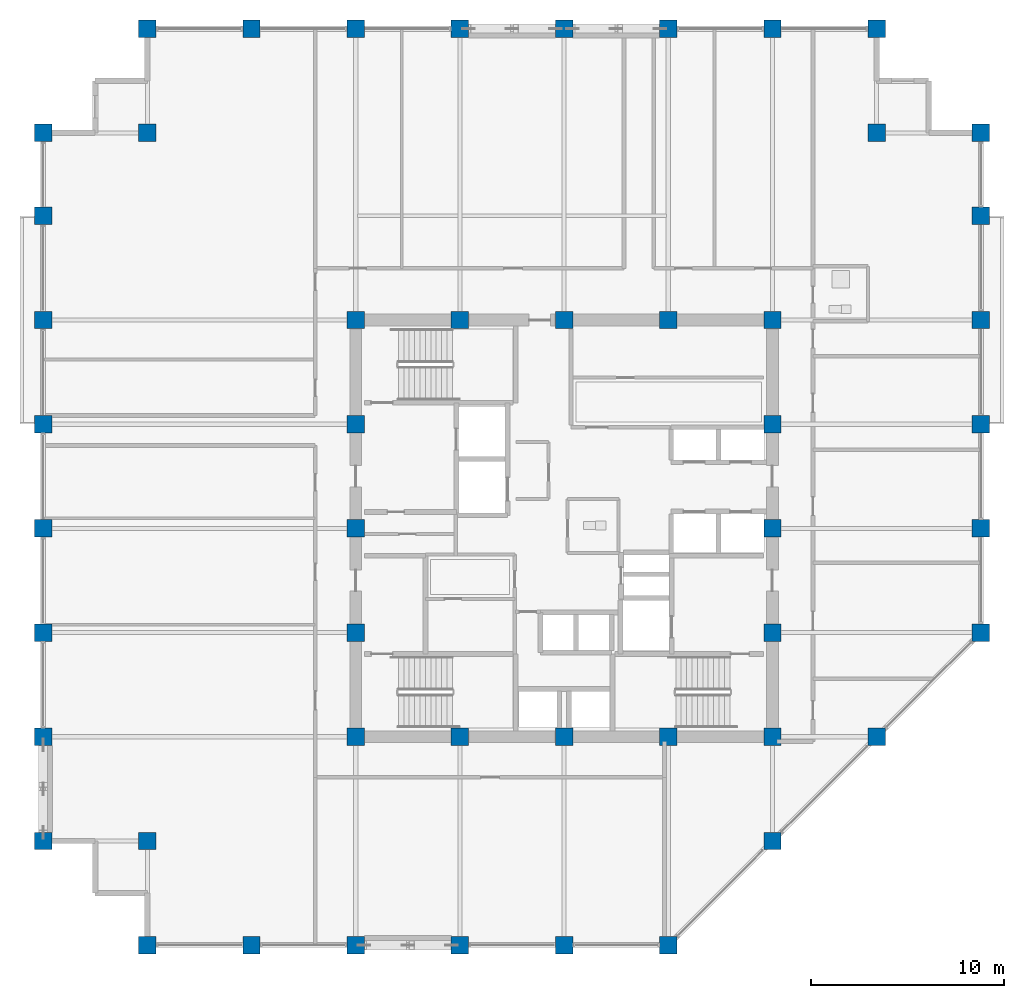
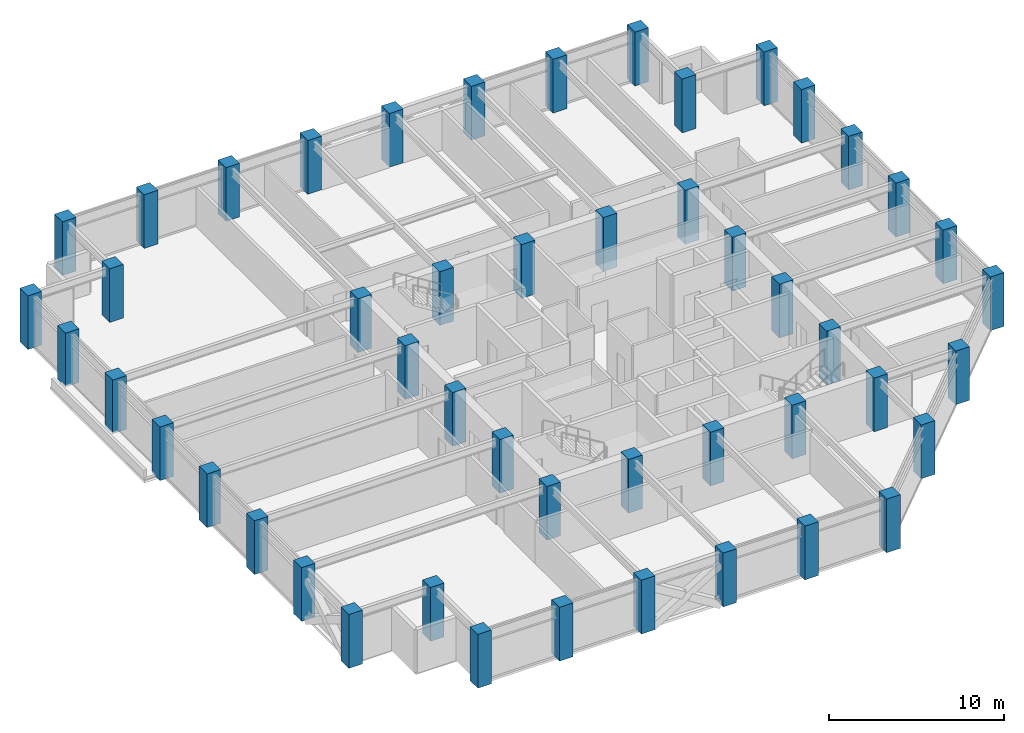
# One storey, part 1 of 31: 49 columns.
"""IFC4 building model written with IfcOpenShell, lengths in metres."""

import ifcopenshell
import ifcopenshell.guid

model = None  # the IFC model being written
_history = None  # IfcOwnerHistory: only IFC2X3 demands one
_inside = {}  # id of a spatial element -> (the spatial element, [elements in it])
_under = {}  # id of a project, library or spatial element -> (it, [spatial elements below it])
_declared = {}  # id of a project -> (the project, [libraries it declares])
_typed = {}  # id of a type object -> (the type object, [elements of that type])
_made_of = {}  # id of a material, layer set ... -> (it, [elements and type objects made of it])


def new_model(schema):
    """Start an empty IFC model of exactly this schema.

    Asked for "IFC4X3", IfcOpenShell would pick the latest addendum, in which some entities
    have other attributes; the version numbers below select the first issue.
    IFC2X3 requires an IfcOwnerHistory on every rooted entity: one is made here for all.
    """
    global model, _history
    if schema == "IFC4X3":
        model = ifcopenshell.file(schema_version=(4, 3, 0, 0))
    else:
        model = ifcopenshell.file(schema=schema)
    _inside.clear()
    _under.clear()
    _declared.clear()
    _typed.clear()
    _made_of.clear()
    _history = None
    if model.schema == "IFC2X3":
        org = make("IfcOrganization", Name="unknown")
        user = make(
            "IfcPersonAndOrganization",
            ThePerson=make("IfcPerson", FamilyName="unknown"),
            TheOrganization=org,
        )
        app = make(
            "IfcApplication",
            ApplicationDeveloper=org,
            Version="unknown",
            ApplicationFullName="unknown",
            ApplicationIdentifier="unknown",
        )
        _history = make(
            "IfcOwnerHistory",
            OwningUser=user,
            OwningApplication=app,
            ChangeAction="ADDED",
            CreationDate=0,
        )
    return model


def make(cls, **values):
    """One entity of the class cls with the attributes given. An attribute that is None is left unset."""
    return model.create_entity(
        cls, **{name: value for name, value in values.items() if value is not None}
    )


def rooted(cls, **values):
    """An entity with a GlobalId (a new one), such as an element, a storey or a relation."""
    return make(cls, GlobalId=ifcopenshell.guid.new(), OwnerHistory=_history, **values)


def si_unit(unit_type, name, prefix=None):
    """IfcSIUnit, for example si_unit("LENGTHUNIT", "METRE", prefix="MILLI")."""
    return make("IfcSIUnit", UnitType=unit_type, Prefix=prefix, Name=name)


def assignment(units):
    """IfcUnitAssignment: the units of a project."""
    return None if units is None else make("IfcUnitAssignment", Units=units)


def point(xyz):
    """IfcCartesianPoint."""
    return None if xyz is None else make("IfcCartesianPoint", Coordinates=xyz)


def direction(xyz):
    """IfcDirection."""
    return None if xyz is None else make("IfcDirection", DirectionRatios=xyz)


def frame(location, z_axis=None, x_axis=None):
    """IfcAxis2Placement3D, a coordinate frame: its origin and axes. An axis left out is left unset."""
    return make(
        "IfcAxis2Placement3D",
        Location=point(location),
        Axis=direction(z_axis),
        RefDirection=direction(x_axis),
    )


def frame_2d(location, x_axis=None):
    """IfcAxis2Placement2D, a coordinate frame in the plane: its origin and x axis."""
    return make(
        "IfcAxis2Placement2D", Location=point(location), RefDirection=direction(x_axis)
    )


def origin():
    """The frame at (0, 0, 0) with its axes left unset."""
    return frame((0.0, 0.0, 0.0))


def origin_2d():
    """The frame at (0, 0) in the plane with its x axis left unset."""
    return frame_2d((0.0, 0.0))


def place(relative_to, where):
    """IfcLocalPlacement: puts the frame where relative to a parent placement (None: the world)."""
    return make(
        "IfcLocalPlacement", PlacementRelTo=relative_to, RelativePlacement=where
    )


def context(
    kind, dimensions, precision=None, world=None, true_north=None, identifier=None
):
    """IfcGeometricRepresentationContext, for example the 3D "Model" context."""
    return make(
        "IfcGeometricRepresentationContext",
        ContextIdentifier=identifier,
        ContextType=kind,
        CoordinateSpaceDimension=dimensions,
        Precision=precision,
        WorldCoordinateSystem=world,
        TrueNorth=true_north,
    )


def subcontext(parent, identifier, kind, view, scale=None):
    """IfcGeometricRepresentationSubContext, for example "Body" below "Model"."""
    return make(
        "IfcGeometricRepresentationSubContext",
        ContextIdentifier=identifier,
        ContextType=kind,
        ParentContext=parent,
        TargetScale=scale,
        TargetView=view,
    )


def project(units=None, contexts=None):
    """IfcProject with its units and contexts."""
    return rooted(
        "IfcProject",
        Name="project",
        RepresentationContexts=contexts,
        UnitsInContext=assignment(units),
    )


def spatial(cls, under=None, at=None, **own):
    """A site, building, storey or space (cls), placed at a placement, below another one or the project."""
    s = rooted(cls, ObjectPlacement=at, **own)
    if under is not None:
        _under.setdefault(under.id(), (under, []))[1].append(s)
    return s


def profile(cls, at=None, kind="AREA", **sizes):
    """A parametric profile (cls). Its sizes go by their IFC names, for example OverallWidth=200.0."""
    return make(cls, ProfileType=kind, Position=at, **sizes)


def rectangle(**sizes):
    """IfcRectangleProfileDef."""
    return profile("IfcRectangleProfileDef", **sizes)


def extrude(swept, where, along, depth):
    """IfcExtrudedAreaSolid: the profile swept, set in the frame where, extruded along a direction by depth."""
    return make(
        "IfcExtrudedAreaSolid",
        SweptArea=swept,
        Position=where,
        ExtrudedDirection=direction(along),
        Depth=depth,
    )


def shape(context_of_items, identifier, shape_type, items):
    """IfcShapeRepresentation: the items that make up one representation, for example the "Body"."""
    return make(
        "IfcShapeRepresentation",
        ContextOfItems=context_of_items,
        RepresentationIdentifier=identifier,
        RepresentationType=shape_type,
        Items=items,
    )


def material(Name=None, Category=None):
    """IfcMaterial."""
    return make("IfcMaterial", Name=Name, Category=Category)


def material_profile(
    of_material, cross_section, Name=None, Category=None, Priority=None
):
    """IfcMaterialProfile: a cross section and its material."""
    return make(
        "IfcMaterialProfile",
        Name=Name,
        Material=of_material,
        Profile=cross_section,
        Priority=Priority,
        Category=Category,
    )


def profile_set(profiles, Name=None, composite=None):
    """IfcMaterialProfileSet."""
    return make(
        "IfcMaterialProfileSet",
        Name=Name,
        MaterialProfiles=profiles,
        CompositeProfile=composite,
    )


def made_of(thing, what):
    """Note that an element or type object is made of a material, layer set ...; save() writes the relation."""
    if what is not None:
        _made_of.setdefault(what.id(), (what, []))[1].append(thing)
    return thing


def type_object(cls, material=None, **own):
    """A type object (cls), such as IfcWallType, which elements share."""
    return made_of(rooted(cls, **own), material)


def element(
    cls,
    number,
    at=None,
    inside=None,
    cuts=None,
    type_object=None,
    material=None,
    context=None,
    identifier="Body",
    shape_type=None,
    held_by="IfcProductDefinitionShape",
    body=None,
    shapes=None,
    **own,
):
    """One element of the class cls, such as IfcWall. Its Tag is "e" and its number.

    at: its placement. inside: the storey or other place that contains it. cuts: it is an
    opening in that element (IfcRelVoidsElement). A single representation is given by context,
    identifier, shape_type and body (its items); several are given by shapes. held_by: the class
    of the entity that holds the representations. save() writes the other relations.
    """
    e = rooted(cls, Tag="e%d" % number, ObjectPlacement=at, **own)
    if body is not None:
        shapes = [shape(context, identifier, shape_type, body)]
    if shapes is not None:
        e.Representation = make(held_by, Representations=shapes)
    if inside is not None:
        _inside.setdefault(inside.id(), (inside, []))[1].append(e)
    if cuts is not None:
        rooted(
            "IfcRelVoidsElement", RelatingBuildingElement=cuts, RelatedOpeningElement=e
        )
    if type_object is not None:
        _typed.setdefault(type_object.id(), (type_object, []))[1].append(e)
    return made_of(e, material)


def aggregate(whole, parts):
    """IfcRelAggregates: a whole, such as a stair, and the parts it consists of."""
    return rooted("IfcRelAggregates", RelatingObject=whole, RelatedObjects=parts)


def save(model, path):
    """Write the relations noted so far, then the file.

    IfcRelAggregates (storeys below a building ...), IfcRelContainedInSpatialStructure (elements
    in a storey), IfcRelDefinesByType, IfcRelAssociatesMaterial and IfcRelDeclares: one each for
    every whole, place, type object, material and project.
    """
    for whole, parts in _under.values():
        aggregate(whole, parts)
    for where, things in _inside.values():
        rooted(
            "IfcRelContainedInSpatialStructure",
            RelatedElements=things,
            RelatingStructure=where,
        )
    for kind, things in _typed.values():
        rooted("IfcRelDefinesByType", RelatedObjects=things, RelatingType=kind)
    for what, things in _made_of.values():
        rooted("IfcRelAssociatesMaterial", RelatedObjects=things, RelatingMaterial=what)
    for by, libraries in _declared.values():
        rooted("IfcRelDeclares", RelatingContext=by, RelatedDefinitions=libraries)
    model.write(path)


model = new_model("IFC4")

# Units and contexts
model_context = context("Model", 3, precision=1e-05, world=origin(), true_north=direction((0.0, 1.0)))
body_context = subcontext(model_context, "Body", "Model", "MODEL_VIEW")
ifc_project = project(units=[si_unit("LENGTHUNIT", "METRE"), si_unit("AREAUNIT", "SQUARE_METRE"), si_unit("VOLUMEUNIT", "CUBIC_METRE"), si_unit("PLANEANGLEUNIT", "RADIAN"), si_unit("MASSUNIT", "GRAM", prefix="KILO")], contexts=[model_context])

# Site, building, storey
site_placement = place(None, origin())
site = spatial("IfcSite", under=ifc_project, at=site_placement, CompositionType="ELEMENT")
building_placement = place(site_placement, origin())
building = spatial("IfcBuilding", under=site, at=building_placement, Name="Surkhivell Harbour Commons", CompositionType="ELEMENT")
storey_placement = place(building_placement, frame((0.0, 0.0, 193.5)))
storey = spatial("IfcBuildingStorey", under=building, at=storey_placement, Name="L50", CompositionType="ELEMENT", Elevation=193.5)

# Columns
ifc_material = material(Name="Concrete C60/75", Category="concrete")
ifc_material_profile = material_profile(ifc_material, rectangle(XDim=0.89990234375, YDim=0.89990234375, at=origin_2d()), Name="RC-COL-900x900")
ifc_profile_set = profile_set([ifc_material_profile], Name="Concrete C60/75")
column_type = type_object("IfcColumnType", Name="COL-TUBE-Z3A", PredefinedType="COLUMN", material=ifc_profile_set)
for number, where, z_axis, x_axis, name in (
    (1, (-27.0, -16.199951171875, 0.0), (0.0, 0.0, 1.0), (1.0, 0.0, 0.0), "L50 Column CT-3A (-27.0,-16.2)"),
    (2, (-27.0, -10.800048828125, 0.0), (0.0, 0.0, 1.0), (1.0, 0.0, 0.0), "L50 Column CT-3A (-27.0,-10.8)"),
    (3, (-27.0, -5.39990234375, 0.0), (0.0, 0.0, 1.0), (1.0, 0.0, 0.0), "L50 Column CT-3A (-27.0,-5.4)"),
    (4, (-27.0, 0.0, 0.0), (0.0, 0.0, 1.0), (1.0, 0.0, 0.0), "L50 Column CT-3A (-27.0,0.0)"),
    (5, (-27.0, 5.39990234375, 0.0), (0.0, 0.0, 1.0), (1.0, 0.0, 0.0), "L50 Column CT-3A (-27.0,5.4)"),
    (6, (-27.0, 10.800048828125, 0.0), (0.0, 0.0, 1.0), (1.0, 0.0, 0.0), "L50 Column CT-3A (-27.0,10.8)"),
    (7, (-27.0, 16.199951171875, 0.0), (0.0, 0.0, 1.0), (1.0, 0.0, 0.0), "L50 Column CT-3A (-27.0,16.2)"),
    (8, (-27.0, 20.5, 0.0), (0.0, 0.0, 1.0), (1.0, 0.0, 0.0), "L50 Column CT-3A (-27.0,20.5)"),
    (9, (-21.60009765625, -21.60009765625, 0.0), (0.0, 0.0, 1.0), (1.0, 0.0, 0.0), "L50 Column CT-3A (-21.6,-21.6)"),
    (10, (-21.60009765625, -16.199951171875, 0.0), (0.0, 0.0, 1.0), (1.0, 0.0, 0.0), "L50 Column CT-3A (-21.6,-16.2)"),
    (11, (-21.60009765625, 20.5, 0.0), (0.0, 0.0, 1.0), (1.0, 0.0, 0.0), "L50 Column CT-3A (-21.6,20.5)"),
    (12, (-21.60009765625, 25.89990234375, 0.0), (0.0, 0.0, 1.0), (1.0, 0.0, 0.0), "L50 Column CT-3A (-21.6,25.9)"),
    (13, (-16.199951171875, -21.60009765625, 0.0), (0.0, 0.0, 1.0), (1.0, 0.0, 0.0), "L50 Column CT-3A (-16.2,-21.6)"),
    (14, (-16.199951171875, 25.89990234375, 0.0), (0.0, 0.0, 1.0), (1.0, 0.0, 0.0), "L50 Column CT-3A (-16.2,25.9)"),
    (15, (-10.800048828125, -21.60009765625, 0.0), (0.0, 0.0, 1.0), (1.0, 0.0, 0.0), "L50 Column CT-3A (-10.8,-21.6)"),
    (16, (-10.800048828125, -10.800048828125, 0.0), (0.0, 0.0, 1.0), (1.0, 0.0, 0.0), "L50 Column CT-3A (-10.8,-10.8)"),
    (17, (-10.800048828125, -5.39990234375, 0.0), (0.0, 0.0, 1.0), (1.0, 0.0, 0.0), "L50 Column CT-3A (-10.8,-5.4)"),
    (18, (-10.800048828125, 0.0, 0.0), (0.0, 0.0, 1.0), (1.0, 0.0, 0.0), "L50 Column CT-3A (-10.8,0.0)"),
    (19, (-10.800048828125, 5.39990234375, 0.0), (0.0, 0.0, 1.0), (1.0, 0.0, 0.0), "L50 Column CT-3A (-10.8,5.4)"),
    (20, (-10.800048828125, 10.800048828125, 0.0), (0.0, 0.0, 1.0), (1.0, 0.0, 0.0), "L50 Column CT-3A (-10.8,10.8)"),
    (21, (-10.800048828125, 25.89990234375, 0.0), (0.0, 0.0, 1.0), (1.0, 0.0, 0.0), "L50 Column CT-3A (-10.8,25.9)"),
    (22, (-5.39990234375, -21.60009765625, 0.0), (0.0, 0.0, 1.0), (1.0, 0.0, 0.0), "L50 Column CT-3A (-5.4,-21.6)"),
    (23, (-5.39990234375, -10.800048828125, 0.0), (0.0, 0.0, 1.0), (1.0, 0.0, 0.0), "L50 Column CT-3A (-5.4,-10.8)"),
    (24, (-5.39990234375, 10.800048828125, 0.0), (0.0, 0.0, 1.0), (1.0, 0.0, 0.0), "L50 Column CT-3A (-5.4,10.8)"),
    (25, (-5.39990234375, 25.89990234375, 0.0), (0.0, 0.0, 1.0), (1.0, 0.0, 0.0), "L50 Column CT-3A (-5.4,25.9)"),
    (26, (0.0, -21.60009765625, 0.0), (0.0, 0.0, 1.0), (1.0, 0.0, 0.0), "L50 Column CT-3A (-0.0,-21.6)"),
    (27, (0.0, -10.800048828125, 0.0), (0.0, 0.0, 1.0), (1.0, 0.0, 0.0), "L50 Column CT-3A (0.0,-10.8)"),
    (28, (0.0, 10.800048828125, 0.0), (0.0, 0.0, 1.0), (1.0, 0.0, 0.0), "L50 Column CT-3A (0.0,10.8)"),
    (29, (0.0, 25.89990234375, 0.0), (0.0, 0.0, 1.0), (1.0, 0.0, 0.0), "L50 Column CT-3A (-0.0,25.9)"),
    (30, (5.39990234375, -21.60009765625, 0.0), (0.0, 0.0, 1.0), (1.0, 0.0, 0.0), "L50 Column CT-3A (5.4,-21.6)"),
    (31, (5.39990234375, -10.800048828125, 0.0), (0.0, 0.0, 1.0), (1.0, 0.0, 0.0), "L50 Column CT-3A (5.4,-10.8)"),
    (32, (5.39990234375, 10.800048828125, 0.0), (0.0, 0.0, 1.0), (1.0, 0.0, 0.0), "L50 Column CT-3A (5.4,10.8)"),
    (33, (5.39990234375, 25.89990234375, 0.0), (0.0, 0.0, 1.0), (1.0, 0.0, 0.0), "L50 Column CT-3A (5.4,25.9)"),
    (34, (10.800048828125, -16.199951171875, 0.0), (0.0, 0.0, 1.0), (1.0, 0.0, 0.0), "L50 Column CT-3A (10.8,-16.2)"),
    (35, (10.800048828125, -10.800048828125, 0.0), (0.0, 0.0, 1.0), (1.0, 0.0, 0.0), "L50 Column CT-3A (10.8,-10.8)"),
    (36, (10.800048828125, -5.39990234375, 0.0), (0.0, 0.0, 1.0), (1.0, 0.0, 0.0), "L50 Column CT-3A (10.8,-5.4)"),
    (37, (10.800048828125, 0.0, 0.0), (0.0, 0.0, 1.0), (1.0, 0.0, 0.0), "L50 Column CT-3A (10.8,0.0)"),
    (38, (10.800048828125, 5.39990234375, 0.0), (0.0, 0.0, 1.0), (1.0, 0.0, 0.0), "L50 Column CT-3A (10.8,5.4)"),
    (39, (10.800048828125, 10.800048828125, 0.0), (0.0, 0.0, 1.0), (1.0, 0.0, 0.0), "L50 Column CT-3A (10.8,10.8)"),
    (40, (10.800048828125, 25.89990234375, 0.0), (0.0, 0.0, 1.0), (1.0, 0.0, 0.0), "L50 Column CT-3A (10.8,25.9)"),
    (41, (16.199951171875, -10.800048828125, 0.0), (0.0, 0.0, 1.0), (1.0, 0.0, 0.0), "L50 Column CT-3A (16.2,-10.8)"),
    (42, (16.199951171875, 20.5, 0.0), (0.0, 0.0, 1.0), (1.0, 0.0, 0.0), "L50 Column CT-3A (16.2,20.5)"),
    (43, (16.199951171875, 25.89990234375, 0.0), (0.0, 0.0, 1.0), (1.0, 0.0, 0.0), "L50 Column CT-3A (16.2,25.9)"),
    (44, (21.60009765625, -5.39990234375, 0.0), (0.0, 0.0, 1.0), (1.0, 0.0, 0.0), "L50 Column CT-3A (21.6,-5.4)"),
    (45, (21.60009765625, 0.0, 0.0), (0.0, 0.0, 1.0), (1.0, 0.0, 0.0), "L50 Column CT-3A (21.6,0.0)"),
    (46, (21.60009765625, 5.39990234375, 0.0), (0.0, 0.0, 1.0), (1.0, 0.0, 0.0), "L50 Column CT-3A (21.6,5.4)"),
    (47, (21.60009765625, 10.800048828125, 0.0), (0.0, 0.0, 1.0), (1.0, 0.0, 0.0), "L50 Column CT-3A (21.6,10.8)"),
    (48, (21.60009765625, 16.199951171875, 0.0), (0.0, 0.0, 1.0), (1.0, 0.0, 0.0), "L50 Column CT-3A (21.6,16.2)"),
    (49, (21.60009765625, 20.5, 0.0), (0.0, 0.0, 1.0), (1.0, 0.0, 0.0), "L50 Column CT-3A (21.6,20.5)"),
):
    element("IfcColumn", number, at=place(storey_placement, frame(where, z_axis=z_axis, x_axis=x_axis)), inside=storey, type_object=column_type, Name=name, PredefinedType="COLUMN", context=body_context, shape_type="SweptSolid", body=[
        extrude(rectangle(XDim=0.89990234375, YDim=0.89990234375, at=origin_2d()), origin(), (0.0, 0.0, 1.0), 3.75),
    ])

save(model, "model.ifc")
